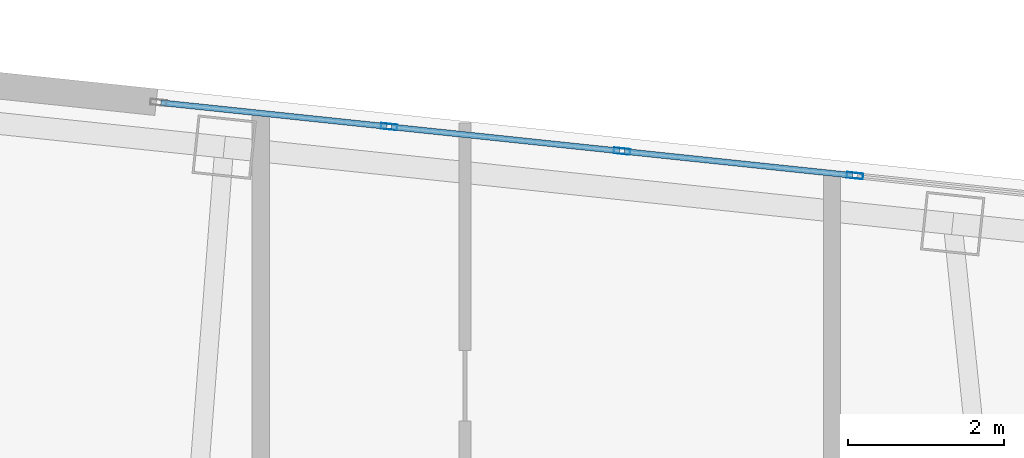
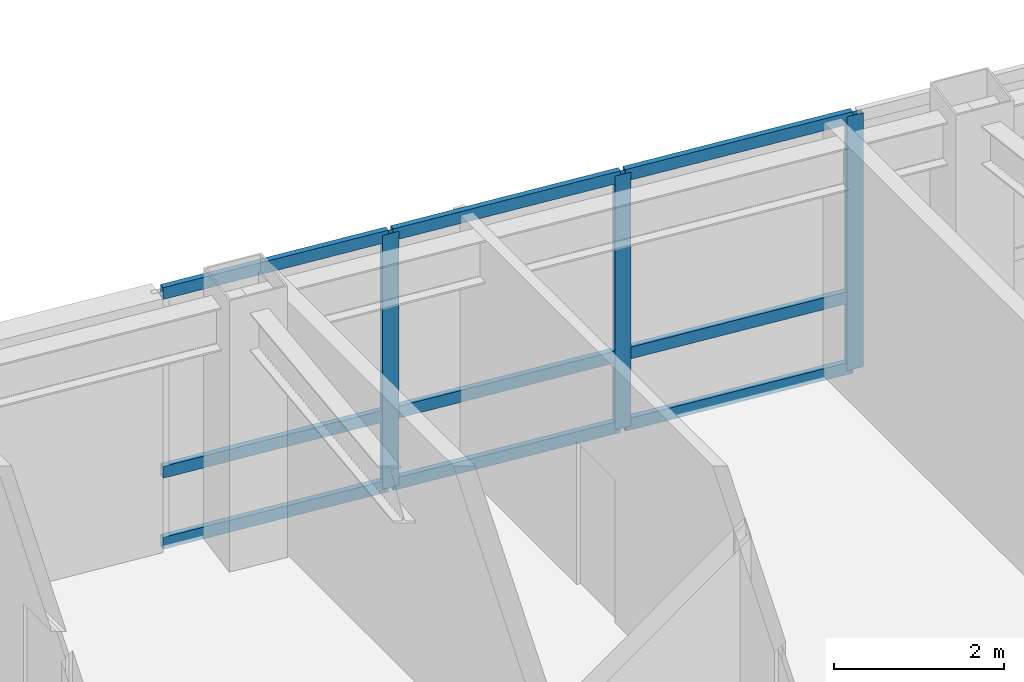
# One storey, part 5 of 15: 12 members, 1 element without a shape of its own.
"""IFC4 building model written with IfcOpenShell, lengths in metres."""

from ifc_helpers import new_model, si_unit, direction, frame, origin, origin_2d, place, context, subcontext, project, spatial, hollow_rectangle, extrude, material, layer, layer_set, material_profile, profile_set, type_object, element, aggregate, save


model = new_model("IFC4")

# Units and contexts
model_context = context("Model", 3, precision=1e-05, world=origin(), true_north=direction((0.0, 1.0)))
body_context = subcontext(model_context, "Body", "Model", "MODEL_VIEW")
ifc_project = project(units=[si_unit("LENGTHUNIT", "METRE"), si_unit("AREAUNIT", "SQUARE_METRE"), si_unit("VOLUMEUNIT", "CUBIC_METRE"), si_unit("PLANEANGLEUNIT", "RADIAN"), si_unit("MASSUNIT", "GRAM", prefix="KILO")], contexts=[model_context])

# Site, building, storey
site_placement = place(None, origin())
site = spatial("IfcSite", under=ifc_project, at=site_placement, CompositionType="ELEMENT")
building_placement = place(site_placement, origin())
building = spatial("IfcBuilding", under=site, at=building_placement, Name="Voryun Gate Residences", CompositionType="ELEMENT")
storey_placement = place(building_placement, frame((0.0, 0.0, 263.89990234375)))
storey = spatial("IfcBuildingStorey", under=building, at=storey_placement, Name="L65", CompositionType="ELEMENT", Elevation=263.89990234375)

# Curtain wall, members
ifc_material_1 = material(Name="Anodised aluminium", Category="aluminium")
ifc_layer = layer(ifc_material_1, 0.2099609375, Name="CW_SYS_SKYGARDEN_DARK_GLASS")
ifc_layer_set = layer_set([ifc_layer], Name="Anodised aluminium")
curtain_wall_type = type_object("IfcCurtainWallType", Name="CW_SYS_SKYGARDEN_DARK_GLASS", PredefinedType="NOTDEFINED", material=ifc_layer_set)
curtain_wall_placement = place(storey_placement, origin())
curtain_wall = element("IfcCurtainWall", 1, at=curtain_wall_placement, inside=storey, type_object=curtain_wall_type, Name="Curtain wall CW5-L65-SG-11", PredefinedType="NOTDEFINED")
ifc_material_2 = material(Name="Anodised aluminium", Category="aluminium")
ifc_material_profile_1 = material_profile(ifc_material_2, hollow_rectangle(XDim=0.074951171875, YDim=0.2099609375, WallThickness=0.0048828125, at=origin_2d()), Name="ALU-MULL-210x75x5")
ifc_profile_set_1 = profile_set([ifc_material_profile_1], Name="Anodised aluminium")
member_type_1 = type_object("IfcMemberType", Name="CW_MULL_SKY", PredefinedType="MULLION", material=ifc_profile_set_1)
member_1_placement = place(storey_placement, frame((-12.559326171875, 19.779541015625, 0.0), z_axis=(0.0, 0.0, 1.0), x_axis=(0.104532256285, 0.994521496699, 0.0)))
member_1 = element("IfcMember", 2, at=member_1_placement, type_object=member_type_1, Name="CW5 mullion 2", PredefinedType="MULLION", context=body_context, shape_type="SweptSolid", body=[
    extrude(hollow_rectangle(XDim=0.074951171875, YDim=0.2099609375, WallThickness=0.0048828125, at=origin_2d()), origin(), (0.0, 0.0, 1.0), 3.650146484375),
])
member_2_placement = place(storey_placement, frame((-9.58251953125, 19.466552734375, 0.0), z_axis=(0.0, 0.0, 1.0), x_axis=(0.104532256285, 0.994521496699, 0.0)))
member_2 = element("IfcMember", 3, at=member_2_placement, type_object=member_type_1, Name="CW5 mullion 3", PredefinedType="MULLION", context=body_context, shape_type="SweptSolid", body=[
    extrude(hollow_rectangle(XDim=0.074951171875, YDim=0.2099609375, WallThickness=0.0048828125, at=origin_2d()), origin(), (0.0, 0.0, 1.0), 3.650146484375),
])
member_3_placement = place(storey_placement, frame((-6.60595703125, 19.15380859375, 0.0), z_axis=(0.0, 0.0, 1.0), x_axis=(0.104532256285, 0.994521496699, 0.0)))
member_3 = element("IfcMember", 4, at=member_3_placement, type_object=member_type_1, Name="CW5 mullion 4", PredefinedType="MULLION", context=body_context, shape_type="SweptSolid", body=[
    extrude(hollow_rectangle(XDim=0.074951171875, YDim=0.2099609375, WallThickness=0.0048828125, at=origin_2d()), origin(), (0.0, 0.0, 1.0), 3.650146484375),
])
ifc_material_3 = material(Name="Anodised aluminium", Category="aluminium")
ifc_material_profile_2 = material_profile(ifc_material_3, hollow_rectangle(XDim=0.074951171875, YDim=0.169921875, WallThickness=0.0048828125, at=origin_2d()), Name="ALU-TRAN-170x75x5")
ifc_profile_set_2 = profile_set([ifc_material_profile_2], Name="Anodised aluminium")
member_type_2 = type_object("IfcMemberType", Name="CW_TRAN_SKY", PredefinedType="USERDEFINED", material=ifc_profile_set_2)
member_4_placement = place(storey_placement, frame((-15.476318359375, 20.0859375, 0.030029296875), z_axis=(0.994521569156, -0.104531566925, 0.0), x_axis=(0.104531566925, 0.994521569156, 0.0)))
member_4 = element("IfcMember", 5, at=member_4_placement, type_object=member_type_2, Name="CW5 transom 1.1", ObjectType="TRANSOM", PredefinedType="USERDEFINED", context=body_context, shape_type="SweptSolid", body=[
    extrude(hollow_rectangle(XDim=0.074951171875, YDim=0.169921875, WallThickness=0.0048828125, at=origin_2d()), origin(), (0.0, 0.0, 1.0), 2.903076171875),
])
member_5_placement = place(storey_placement, frame((-15.476318359375, 20.0859375, 1.050048828125), z_axis=(0.994521569156, -0.104531566925, 0.0), x_axis=(0.104531566925, 0.994521569156, 0.0)))
member_5 = element("IfcMember", 6, at=member_5_placement, type_object=member_type_2, Name="CW5 transom 1.2", ObjectType="TRANSOM", PredefinedType="USERDEFINED", context=body_context, shape_type="SweptSolid", body=[
    extrude(hollow_rectangle(XDim=0.074951171875, YDim=0.169921875, WallThickness=0.0048828125, at=origin_2d()), origin(), (0.0, 0.0, 1.0), 2.903076171875),
])
member_6_placement = place(storey_placement, frame((-15.476318359375, 20.0859375, 3.6201171875), z_axis=(0.994521569156, -0.104531566925, 0.0), x_axis=(0.104531566925, 0.994521569156, 0.0)))
member_6 = element("IfcMember", 7, at=member_6_placement, type_object=member_type_2, Name="CW5 transom 1.3", ObjectType="TRANSOM", PredefinedType="USERDEFINED", context=body_context, shape_type="SweptSolid", body=[
    extrude(hollow_rectangle(XDim=0.074951171875, YDim=0.169921875, WallThickness=0.0048828125, at=origin_2d()), origin(), (0.0, 0.0, 1.0), 2.903076171875),
])
member_7_placement = place(storey_placement, frame((-12.529296875, 19.7763671875, 0.030029296875), z_axis=(0.994519128412, -0.104554785744, 0.0), x_axis=(0.104554785744, 0.994519128412, 0.0)))
member_7 = element("IfcMember", 8, at=member_7_placement, type_object=member_type_2, Name="CW5 transom 2.1", ObjectType="TRANSOM", PredefinedType="USERDEFINED", context=body_context, shape_type="SweptSolid", body=[
    extrude(hollow_rectangle(XDim=0.074951171875, YDim=0.169921875, WallThickness=0.0048828125, at=origin_2d()), origin(), (0.0, 0.0, 1.0), 2.932861328125),
])
member_8_placement = place(storey_placement, frame((-12.529296875, 19.7763671875, 1.050048828125), z_axis=(0.994519128412, -0.104554785744, 0.0), x_axis=(0.104554785744, 0.994519128412, 0.0)))
member_8 = element("IfcMember", 9, at=member_8_placement, type_object=member_type_2, Name="CW5 transom 2.2", ObjectType="TRANSOM", PredefinedType="USERDEFINED", context=body_context, shape_type="SweptSolid", body=[
    extrude(hollow_rectangle(XDim=0.074951171875, YDim=0.169921875, WallThickness=0.0048828125, at=origin_2d()), origin(), (0.0, 0.0, 1.0), 2.932861328125),
])
member_9_placement = place(storey_placement, frame((-12.529296875, 19.7763671875, 3.6201171875), z_axis=(0.994519128412, -0.104554785744, 0.0), x_axis=(0.104554785744, 0.994519128412, 0.0)))
member_9 = element("IfcMember", 10, at=member_9_placement, type_object=member_type_2, Name="CW5 transom 2.3", ObjectType="TRANSOM", PredefinedType="USERDEFINED", context=body_context, shape_type="SweptSolid", body=[
    extrude(hollow_rectangle(XDim=0.074951171875, YDim=0.169921875, WallThickness=0.0048828125, at=origin_2d()), origin(), (0.0, 0.0, 1.0), 2.932861328125),
])
member_10_placement = place(storey_placement, frame((-9.552734375, 19.46337890625, 0.030029296875), z_axis=(0.994520038301, -0.104546130575, 0.0), x_axis=(0.104546130575, 0.994520038301, 0.0)))
member_10 = element("IfcMember", 11, at=member_10_placement, type_object=member_type_2, Name="CW5 transom 3.1", ObjectType="TRANSOM", PredefinedType="USERDEFINED", context=body_context, shape_type="SweptSolid", body=[
    extrude(hollow_rectangle(XDim=0.074951171875, YDim=0.169921875, WallThickness=0.0048828125, at=origin_2d()), origin(), (0.0, 0.0, 1.0), 2.93310546875),
])
member_11_placement = place(storey_placement, frame((-9.552734375, 19.46337890625, 1.050048828125), z_axis=(0.994520038301, -0.104546130575, 0.0), x_axis=(0.104546130575, 0.994520038301, 0.0)))
member_11 = element("IfcMember", 12, at=member_11_placement, type_object=member_type_2, Name="CW5 transom 3.2", ObjectType="TRANSOM", PredefinedType="USERDEFINED", context=body_context, shape_type="SweptSolid", body=[
    extrude(hollow_rectangle(XDim=0.074951171875, YDim=0.169921875, WallThickness=0.0048828125, at=origin_2d()), origin(), (0.0, 0.0, 1.0), 2.93310546875),
])
member_12_placement = place(storey_placement, frame((-9.552734375, 19.46337890625, 3.6201171875), z_axis=(0.994520038301, -0.104546130575, 0.0), x_axis=(0.104546130575, 0.994520038301, 0.0)))
member_12 = element("IfcMember", 13, at=member_12_placement, type_object=member_type_2, Name="CW5 transom 3.3", ObjectType="TRANSOM", PredefinedType="USERDEFINED", context=body_context, shape_type="SweptSolid", body=[
    extrude(hollow_rectangle(XDim=0.074951171875, YDim=0.169921875, WallThickness=0.0048828125, at=origin_2d()), origin(), (0.0, 0.0, 1.0), 2.93310546875),
])
aggregate(curtain_wall, [member_1, member_2, member_3, member_4, member_5, member_6, member_7, member_8, member_9, member_10, member_11, member_12])

save(model, "model.ifc")
